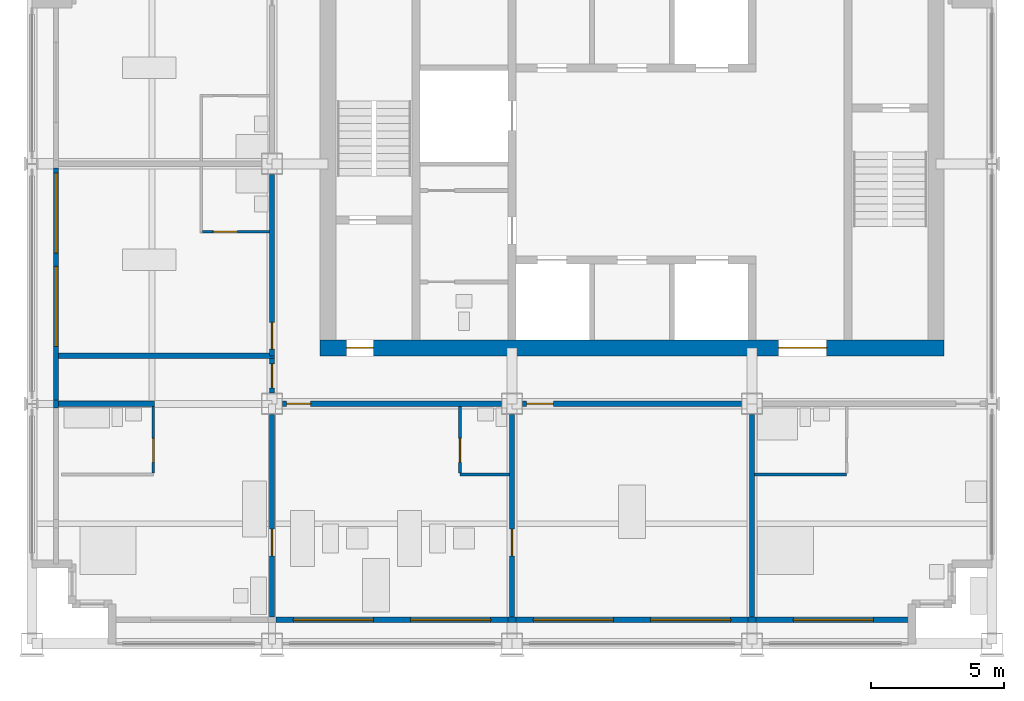
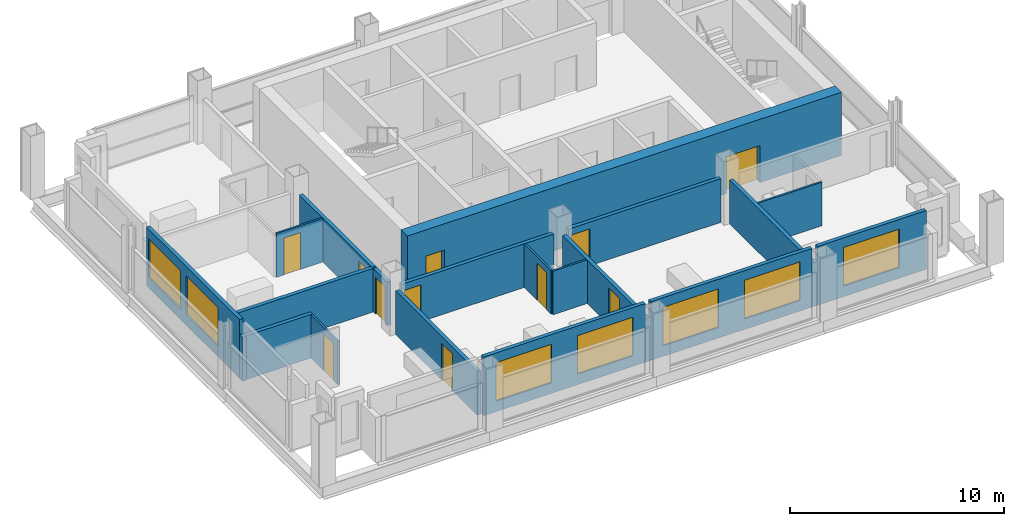
# One storey, part 6 of 11: 22 walls, 11 doors, 7 windows, 18 openings.
"""IFC4 building model written with IfcOpenShell, lengths in metres."""

import ifcopenshell
import ifcopenshell.guid

model = None  # the IFC model being written
_history = None  # IfcOwnerHistory: only IFC2X3 demands one
_inside = {}  # id of a spatial element -> (the spatial element, [elements in it])
_under = {}  # id of a project, library or spatial element -> (it, [spatial elements below it])
_declared = {}  # id of a project -> (the project, [libraries it declares])
_typed = {}  # id of a type object -> (the type object, [elements of that type])
_made_of = {}  # id of a material, layer set ... -> (it, [elements and type objects made of it])


def new_model(schema):
    """Start an empty IFC model of exactly this schema.

    Asked for "IFC4X3", IfcOpenShell would pick the latest addendum, in which some entities
    have other attributes; the version numbers below select the first issue.
    IFC2X3 requires an IfcOwnerHistory on every rooted entity: one is made here for all.
    """
    global model, _history
    if schema == "IFC4X3":
        model = ifcopenshell.file(schema_version=(4, 3, 0, 0))
    else:
        model = ifcopenshell.file(schema=schema)
    _inside.clear()
    _under.clear()
    _declared.clear()
    _typed.clear()
    _made_of.clear()
    _history = None
    if model.schema == "IFC2X3":
        org = make("IfcOrganization", Name="unknown")
        user = make(
            "IfcPersonAndOrganization",
            ThePerson=make("IfcPerson", FamilyName="unknown"),
            TheOrganization=org,
        )
        app = make(
            "IfcApplication",
            ApplicationDeveloper=org,
            Version="unknown",
            ApplicationFullName="unknown",
            ApplicationIdentifier="unknown",
        )
        _history = make(
            "IfcOwnerHistory",
            OwningUser=user,
            OwningApplication=app,
            ChangeAction="ADDED",
            CreationDate=0,
        )
    return model


def make(cls, **values):
    """One entity of the class cls with the attributes given. An attribute that is None is left unset."""
    return model.create_entity(
        cls, **{name: value for name, value in values.items() if value is not None}
    )


def rooted(cls, **values):
    """An entity with a GlobalId (a new one), such as an element, a storey or a relation."""
    return make(cls, GlobalId=ifcopenshell.guid.new(), OwnerHistory=_history, **values)


def si_unit(unit_type, name, prefix=None):
    """IfcSIUnit, for example si_unit("LENGTHUNIT", "METRE", prefix="MILLI")."""
    return make("IfcSIUnit", UnitType=unit_type, Prefix=prefix, Name=name)


def assignment(units):
    """IfcUnitAssignment: the units of a project."""
    return None if units is None else make("IfcUnitAssignment", Units=units)


def point(xyz):
    """IfcCartesianPoint."""
    return None if xyz is None else make("IfcCartesianPoint", Coordinates=xyz)


def direction(xyz):
    """IfcDirection."""
    return None if xyz is None else make("IfcDirection", DirectionRatios=xyz)


def frame(location, z_axis=None, x_axis=None):
    """IfcAxis2Placement3D, a coordinate frame: its origin and axes. An axis left out is left unset."""
    return make(
        "IfcAxis2Placement3D",
        Location=point(location),
        Axis=direction(z_axis),
        RefDirection=direction(x_axis),
    )


def frame_2d(location, x_axis=None):
    """IfcAxis2Placement2D, a coordinate frame in the plane: its origin and x axis."""
    return make(
        "IfcAxis2Placement2D", Location=point(location), RefDirection=direction(x_axis)
    )


def origin():
    """The frame at (0, 0, 0) with its axes left unset."""
    return frame((0.0, 0.0, 0.0))


def place(relative_to, where):
    """IfcLocalPlacement: puts the frame where relative to a parent placement (None: the world)."""
    return make(
        "IfcLocalPlacement", PlacementRelTo=relative_to, RelativePlacement=where
    )


def context(
    kind, dimensions, precision=None, world=None, true_north=None, identifier=None
):
    """IfcGeometricRepresentationContext, for example the 3D "Model" context."""
    return make(
        "IfcGeometricRepresentationContext",
        ContextIdentifier=identifier,
        ContextType=kind,
        CoordinateSpaceDimension=dimensions,
        Precision=precision,
        WorldCoordinateSystem=world,
        TrueNorth=true_north,
    )


def subcontext(parent, identifier, kind, view, scale=None):
    """IfcGeometricRepresentationSubContext, for example "Body" below "Model"."""
    return make(
        "IfcGeometricRepresentationSubContext",
        ContextIdentifier=identifier,
        ContextType=kind,
        ParentContext=parent,
        TargetScale=scale,
        TargetView=view,
    )


def project(units=None, contexts=None):
    """IfcProject with its units and contexts."""
    return rooted(
        "IfcProject",
        Name="project",
        RepresentationContexts=contexts,
        UnitsInContext=assignment(units),
    )


def spatial(cls, under=None, at=None, **own):
    """A site, building, storey or space (cls), placed at a placement, below another one or the project."""
    s = rooted(cls, ObjectPlacement=at, **own)
    if under is not None:
        _under.setdefault(under.id(), (under, []))[1].append(s)
    return s


def profile(cls, at=None, kind="AREA", **sizes):
    """A parametric profile (cls). Its sizes go by their IFC names, for example OverallWidth=200.0."""
    return make(cls, ProfileType=kind, Position=at, **sizes)


def rectangle(**sizes):
    """IfcRectangleProfileDef."""
    return profile("IfcRectangleProfileDef", **sizes)


def extrude(swept, where, along, depth):
    """IfcExtrudedAreaSolid: the profile swept, set in the frame where, extruded along a direction by depth."""
    return make(
        "IfcExtrudedAreaSolid",
        SweptArea=swept,
        Position=where,
        ExtrudedDirection=direction(along),
        Depth=depth,
    )


def shape(context_of_items, identifier, shape_type, items):
    """IfcShapeRepresentation: the items that make up one representation, for example the "Body"."""
    return make(
        "IfcShapeRepresentation",
        ContextOfItems=context_of_items,
        RepresentationIdentifier=identifier,
        RepresentationType=shape_type,
        Items=items,
    )


def material(Name=None, Category=None):
    """IfcMaterial."""
    return make("IfcMaterial", Name=Name, Category=Category)


def layer(
    of_material, thickness, ventilated=None, Name=None, Category=None, Priority=None
):
    """IfcMaterialLayer: one layer of a wall or slab, of a material (None: an air gap)."""
    return make(
        "IfcMaterialLayer",
        Material=of_material,
        LayerThickness=thickness,
        IsVentilated=ventilated,
        Name=Name,
        Category=Category,
        Priority=Priority,
    )


def layer_set(layers, Name=None):
    """IfcMaterialLayerSet."""
    return make("IfcMaterialLayerSet", MaterialLayers=layers, LayerSetName=Name)


def made_of(thing, what):
    """Note that an element or type object is made of a material, layer set ...; save() writes the relation."""
    if what is not None:
        _made_of.setdefault(what.id(), (what, []))[1].append(thing)
    return thing


def type_object(cls, material=None, **own):
    """A type object (cls), such as IfcWallType, which elements share."""
    return made_of(rooted(cls, **own), material)


def element(
    cls,
    number,
    at=None,
    inside=None,
    cuts=None,
    type_object=None,
    material=None,
    context=None,
    identifier="Body",
    shape_type=None,
    held_by="IfcProductDefinitionShape",
    body=None,
    shapes=None,
    **own,
):
    """One element of the class cls, such as IfcWall. Its Tag is "e" and its number.

    at: its placement. inside: the storey or other place that contains it. cuts: it is an
    opening in that element (IfcRelVoidsElement). A single representation is given by context,
    identifier, shape_type and body (its items); several are given by shapes. held_by: the class
    of the entity that holds the representations. save() writes the other relations.
    """
    e = rooted(cls, Tag="e%d" % number, ObjectPlacement=at, **own)
    if body is not None:
        shapes = [shape(context, identifier, shape_type, body)]
    if shapes is not None:
        e.Representation = make(held_by, Representations=shapes)
    if inside is not None:
        _inside.setdefault(inside.id(), (inside, []))[1].append(e)
    if cuts is not None:
        rooted(
            "IfcRelVoidsElement", RelatingBuildingElement=cuts, RelatedOpeningElement=e
        )
    if type_object is not None:
        _typed.setdefault(type_object.id(), (type_object, []))[1].append(e)
    return made_of(e, material)


def fill(opening, filler):
    """IfcRelFillsElement: the door or window that sits in an opening."""
    return rooted(
        "IfcRelFillsElement",
        RelatingOpeningElement=opening,
        RelatedBuildingElement=filler,
    )


def aggregate(whole, parts):
    """IfcRelAggregates: a whole, such as a stair, and the parts it consists of."""
    return rooted("IfcRelAggregates", RelatingObject=whole, RelatedObjects=parts)


def save(model, path):
    """Write the relations noted so far, then the file.

    IfcRelAggregates (storeys below a building ...), IfcRelContainedInSpatialStructure (elements
    in a storey), IfcRelDefinesByType, IfcRelAssociatesMaterial and IfcRelDeclares: one each for
    every whole, place, type object, material and project.
    """
    for whole, parts in _under.values():
        aggregate(whole, parts)
    for where, things in _inside.values():
        rooted(
            "IfcRelContainedInSpatialStructure",
            RelatedElements=things,
            RelatingStructure=where,
        )
    for kind, things in _typed.values():
        rooted("IfcRelDefinesByType", RelatedObjects=things, RelatingType=kind)
    for what, things in _made_of.values():
        rooted("IfcRelAssociatesMaterial", RelatedObjects=things, RelatingMaterial=what)
    for by, libraries in _declared.values():
        rooted("IfcRelDeclares", RelatingContext=by, RelatedDefinitions=libraries)
    model.write(path)


model = new_model("IFC4")

# Units and contexts
model_context = context("Model", 3, precision=1e-05, world=origin(), true_north=direction((0.0, 1.0)))
body_context = subcontext(model_context, "Body", "Model", "MODEL_VIEW")
ifc_project = project(units=[si_unit("LENGTHUNIT", "METRE"), si_unit("AREAUNIT", "SQUARE_METRE"), si_unit("VOLUMEUNIT", "CUBIC_METRE"), si_unit("PLANEANGLEUNIT", "RADIAN"), si_unit("MASSUNIT", "GRAM", prefix="KILO")], contexts=[model_context])

# Site, building, storey
site_placement = place(None, origin())
site = spatial("IfcSite", under=ifc_project, at=site_placement, CompositionType="ELEMENT")
building_placement = place(site_placement, origin())
building = spatial("IfcBuilding", under=site, at=building_placement, Name="Loomwork Tower", CompositionType="ELEMENT")
storey_placement = place(building_placement, frame((0.0, 0.0, 266.199951171875)))
storey = spatial("IfcBuildingStorey", under=building, at=storey_placement, Name="L73", CompositionType="ELEMENT", Elevation=266.199951171875)

# Wall, openings, doors
ifc_material_1 = material(Name="Concrete 14000 psi (97 MPa)", Category="concrete")
ifc_layer_1 = layer(ifc_material_1, 0.60009765625)
ifc_layer_set_1 = layer_set([ifc_layer_1], Name="Core shear wall 600")
wall_type_1 = type_object("IfcWallType", Name="Core shear wall 600", PredefinedType="SHEAR", material=ifc_layer_set_1)
wall_1_placement = place(storey_placement, frame((10.800048828125, 11.10009765625, 0.0), z_axis=(0.0, 0.0, 1.0), x_axis=(1.0, 0.0, 0.0)))
wall_1 = element("IfcWall", 1, at=wall_1_placement, inside=storey, type_object=wall_type_1, Name="Core wall south L73", PredefinedType="SHEAR", context=body_context, shape_type="SweptSolid", body=[
    extrude(rectangle(XDim=23.39990234375, YDim=0.60009765625, at=frame_2d((11.699951171875, 0.0))), origin(), (0.0, 0.0, 1.0), 3.60009765625),
])
opening_1_placement = place(wall_1_placement, frame((1.0, 0.0, 0.0)))
opening_1 = element("IfcOpeningElement", 2, at=opening_1_placement, cuts=wall_1, Name="Opening D4", PredefinedType="OPENING", context=body_context, shape_type="SweptSolid", body=[
    extrude(rectangle(XDim=1.0, YDim=2.10009765625, at=frame_2d((0.5, 1.050048828125))), frame((0.0, 0.31005859375, 0.0), z_axis=(0.0, -1.0, 0.0), x_axis=(1.0, 0.0, 0.0)), (0.0, 0.0, 1.0), 0.6201171875),
])
opening_2_placement = place(wall_1_placement, frame((17.199951171875, 0.0, 0.0)))
opening_2 = element("IfcOpeningElement", 3, at=opening_2_placement, cuts=wall_1, Name="Opening D6", PredefinedType="OPENING", context=body_context, shape_type="SweptSolid", body=[
    extrude(rectangle(XDim=1.800048828125, YDim=2.10009765625, at=frame_2d((0.89990234375, 1.050048828125))), frame((0.0, 0.31005859375, 0.0), z_axis=(0.0, -1.0, 0.0), x_axis=(1.0, 0.0, 0.0)), (0.0, 0.0, 1.0), 0.6201171875),
])
ifc_material_2 = material(Name="Hollow metal door and frame")
door_type_1 = type_object("IfcDoorType", Name="Lobby passage double door 1800", OperationType="DOUBLE_DOOR_SINGLE_SWING", PredefinedType="DOOR", material=ifc_material_2)
door_1_placement = place(opening_2_placement, origin())
door_1 = element("IfcDoor", 4, at=door_1_placement, inside=storey, type_object=door_type_1, Name="Lobby passage door south", OperationType="DOUBLE_DOOR_SINGLE_SWING", OverallHeight=2.10009765625, OverallWidth=1.800048828125, PredefinedType="DOOR", context=body_context, shape_type="SweptSolid", body=[
    extrude(rectangle(XDim=1.800048828125, YDim=2.10009765625, at=frame_2d((0.89990234375, 1.050048828125))), frame((0.0, 0.02490234375, 0.0), z_axis=(0.0, -1.0, 0.0), x_axis=(1.0, 0.0, 0.0)), (0.0, 0.0, 1.0), 0.050048828125),
])
fill(opening_2, door_1)
ifc_material_3 = material(Name="Hollow metal door and frame")
door_type_2 = type_object("IfcDoorType", Name="Stair door 1000", OperationType="SINGLE_SWING_RIGHT", PredefinedType="DOOR", material=ifc_material_3)
door_2_placement = place(opening_1_placement, origin())
door_2 = element("IfcDoor", 5, at=door_2_placement, inside=storey, type_object=door_type_2, Name="Stair A vestibule door", OperationType="SINGLE_SWING_LEFT", OverallHeight=2.10009765625, OverallWidth=1.0, PredefinedType="DOOR", context=body_context, shape_type="SweptSolid", body=[
    extrude(rectangle(XDim=1.0, YDim=2.10009765625, at=frame_2d((0.5, 1.050048828125))), frame((0.0, 0.02490234375, 0.0), z_axis=(0.0, -1.0, 0.0), x_axis=(1.0, 0.0, 0.0)), (0.0, 0.0, 1.0), 0.050048828125),
])
fill(opening_1, door_2)

# Wall
ifc_material_4 = material(Name="Gypsum board on steel studs, one-hour", Category="steel")
ifc_layer_2 = layer(ifc_material_4, 0.199951171875)
ifc_layer_set_2 = layer_set([ifc_layer_2], Name="Corridor wall 200")
wall_type_2 = type_object("IfcWallType", Name="Corridor wall 200", PredefinedType="PARTITIONING", material=ifc_layer_set_2)
wall_2_placement = place(storey_placement, frame((1.0, 9.0, 0.0), z_axis=(0.0, 0.0, 1.0), x_axis=(1.0, 0.0, 0.0)))
element("IfcWall", 6, at=wall_2_placement, inside=storey, type_object=wall_type_2, Name="South corridor wall 1", PredefinedType="PARTITIONING", context=body_context, shape_type="SweptSolid", body=[
    extrude(rectangle(XDim=3.60009765625, YDim=0.199951171875, at=frame_2d((1.800048828125, 0.0))), origin(), (0.0, 0.0, 1.0), 2.491455078125),
])

# Wall, opening, door
wall_3_placement = place(storey_placement, frame((9.39990234375, 9.0, 0.0), z_axis=(0.0, 0.0, 1.0), x_axis=(1.0, 0.0, 0.0)))
wall_3 = element("IfcWall", 7, at=wall_3_placement, inside=storey, type_object=wall_type_2, Name="South corridor wall 2", PredefinedType="PARTITIONING", context=body_context, shape_type="SweptSolid", body=[
    extrude(rectangle(XDim=8.2001953125, YDim=0.199951171875, at=frame_2d((4.10009765625, 0.0))), origin(), (0.0, 0.0, 1.0), 2.491455078125),
])
opening_3_placement = place(wall_3_placement, frame((0.14990234375, 0.0, 0.0)))
opening_3 = element("IfcOpeningElement", 8, at=opening_3_placement, cuts=wall_3, Name="Opening D1", PredefinedType="OPENING", context=body_context, shape_type="SweptSolid", body=[
    extrude(rectangle(XDim=0.89990234375, YDim=2.10009765625, at=frame_2d((0.449951171875, 1.050048828125))), frame((0.0, 0.10986328125, 0.0), z_axis=(0.0, -1.0, 0.0), x_axis=(1.0, 0.0, 0.0)), (0.0, 0.0, 1.0), 0.219970703125),
])
ifc_material_5 = material(Name="Hollow metal door and frame")
door_type_3 = type_object("IfcDoorType", Name="Guest room entry door 900", OperationType="SINGLE_SWING_LEFT", PredefinedType="DOOR", material=ifc_material_5)
door_3_placement = place(opening_3_placement, frame((0.89990234375, 0.0, 0.0), z_axis=(0.0, 0.0, 1.0), x_axis=(-1.0, 0.0, 0.0)))
door_3 = element("IfcDoor", 9, at=door_3_placement, inside=storey, type_object=door_type_3, Name="Guest room entry door L73 2", OperationType="SINGLE_SWING_RIGHT", OverallHeight=2.10009765625, OverallWidth=0.89990234375, PredefinedType="DOOR", context=body_context, shape_type="SweptSolid", body=[
    extrude(rectangle(XDim=0.89990234375, YDim=2.10009765625, at=frame_2d((0.449951171875, 1.050048828125))), frame((0.0, 0.02490234375, 0.0), z_axis=(0.0, -1.0, 0.0), x_axis=(1.0, 0.0, 0.0)), (0.0, 0.0, 1.0), 0.050048828125),
])
fill(opening_3, door_3)

wall_4_placement = place(storey_placement, frame((18.39990234375, 9.0, 0.0), z_axis=(0.0, 0.0, 1.0), x_axis=(1.0, 0.0, 0.0)))
wall_4 = element("IfcWall", 10, at=wall_4_placement, inside=storey, type_object=wall_type_2, Name="South corridor wall 3", PredefinedType="PARTITIONING", context=body_context, shape_type="SweptSolid", body=[
    extrude(rectangle(XDim=8.2001953125, YDim=0.199951171875, at=frame_2d((4.10009765625, 0.0))), origin(), (0.0, 0.0, 1.0), 2.491455078125),
])
opening_4_placement = place(wall_4_placement, frame((0.14990234375, 0.0, 0.0)))
opening_4 = element("IfcOpeningElement", 11, at=opening_4_placement, cuts=wall_4, Name="Opening D5", PredefinedType="OPENING", context=body_context, shape_type="SweptSolid", body=[
    extrude(rectangle(XDim=1.0, YDim=2.10009765625, at=frame_2d((0.5, 1.050048828125))), frame((0.0, 0.10986328125, 0.0), z_axis=(0.0, -1.0, 0.0), x_axis=(1.0, 0.0, 0.0)), (0.0, 0.0, 1.0), 0.219970703125),
])
ifc_material_6 = material(Name="Hollow metal door and frame")
door_type_4 = type_object("IfcDoorType", Name="Service door 1000", OperationType="SINGLE_SWING_LEFT", PredefinedType="DOOR", material=ifc_material_6)
door_4_placement = place(opening_4_placement, frame((1.0, 0.0, 0.0), z_axis=(0.0, 0.0, 1.0), x_axis=(-1.0, 0.0, 0.0)))
door_4 = element("IfcDoor", 12, at=door_4_placement, inside=storey, type_object=door_type_4, Name="Presidential suite dining room door L73 3", OperationType="SINGLE_SWING_RIGHT", OverallHeight=2.10009765625, OverallWidth=1.0, PredefinedType="DOOR", context=body_context, shape_type="SweptSolid", body=[
    extrude(rectangle(XDim=1.0, YDim=2.10009765625, at=frame_2d((0.5, 1.050048828125))), frame((0.0, 0.02490234375, 0.0), z_axis=(0.0, -1.0, 0.0), x_axis=(1.0, 0.0, 0.0)), (0.0, 0.0, 1.0), 0.050048828125),
])
fill(opening_4, door_4)

wall_5_placement = place(storey_placement, frame((9.0, 10.800048828125, 0.0), z_axis=(0.0, 0.0, 1.0), x_axis=(0.0, 1.0, 0.0)))
wall_5 = element("IfcWall", 13, at=wall_5_placement, inside=storey, type_object=wall_type_2, Name="West corridor wall 1", PredefinedType="PARTITIONING", context=body_context, shape_type="SweptSolid", body=[
    extrude(rectangle(XDim=6.800048828125, YDim=0.199951171875, at=frame_2d((3.39990234375, 0.0))), origin(), (0.0, 0.0, 1.0), 2.491455078125),
])
opening_5_placement = place(wall_5_placement, frame((0.25, 0.0, 0.0)))
opening_5 = element("IfcOpeningElement", 14, at=opening_5_placement, cuts=wall_5, Name="Opening D15", PredefinedType="OPENING", context=body_context, shape_type="SweptSolid", body=[
    extrude(rectangle(XDim=1.0, YDim=2.10009765625, at=frame_2d((0.5, 1.050048828125))), frame((0.0, 0.10986328125, 0.0), z_axis=(0.0, -1.0, 0.0), x_axis=(1.0, 0.0, 0.0)), (0.0, 0.0, 1.0), 0.219970703125),
])
ifc_material_7 = material(Name="Hollow metal door and frame")
door_type_5 = type_object("IfcDoorType", Name="Fire-rated room door 1000", OperationType="SINGLE_SWING_LEFT", PredefinedType="DOOR", material=ifc_material_7)
door_5_placement = place(opening_5_placement, origin())
door_5 = element("IfcDoor", 15, at=door_5_placement, inside=storey, type_object=door_type_5, Name="Spa treatment room door L73 5", OperationType="SINGLE_SWING_LEFT", OverallHeight=2.10009765625, OverallWidth=1.0, PredefinedType="DOOR", context=body_context, shape_type="SweptSolid", body=[
    extrude(rectangle(XDim=1.0, YDim=2.10009765625, at=frame_2d((0.5, 1.050048828125))), frame((0.0, 0.02490234375, 0.0), z_axis=(0.0, -1.0, 0.0), x_axis=(1.0, 0.0, 0.0)), (0.0, 0.0, 1.0), 0.050048828125),
])
fill(opening_5, door_5)

# Wall
wall_6_placement = place(storey_placement, frame((1.0, 10.800048828125, 0.0), z_axis=(0.0, 0.0, 1.0), x_axis=(1.0, 0.0, 0.0)))
element("IfcWall", 16, at=wall_6_placement, inside=storey, type_object=wall_type_2, Name="West band end wall S", PredefinedType="PARTITIONING", context=body_context, shape_type="SweptSolid", body=[
    extrude(rectangle(XDim=8.10009765625, YDim=0.199951171875, at=frame_2d((4.050048828125, 0.0))), origin(), (0.0, 0.0, 1.0), 2.490966796875),
])

# Wall, opening, door
wall_7_placement = place(storey_placement, frame((9.0, 9.39990234375, 0.0), z_axis=(0.0, 0.0, 1.0), x_axis=(0.0, 1.0, 0.0)))
wall_7 = element("IfcWall", 17, at=wall_7_placement, inside=storey, type_object=wall_type_2, Name="Corner suite foyer wall", PredefinedType="PARTITIONING", context=body_context, shape_type="SweptSolid", body=[
    extrude(rectangle(XDim=1.300048828125, YDim=0.199951171875, at=frame_2d((0.64990234375, 0.0))), origin(), (0.0, 0.0, 1.0), 2.491455078125),
])
opening_6_placement = place(wall_7_placement, frame((0.199951171875, 0.0, 0.0)))
opening_6 = element("IfcOpeningElement", 18, at=opening_6_placement, cuts=wall_7, Name="Opening D1", PredefinedType="OPENING", context=body_context, shape_type="SweptSolid", body=[
    extrude(rectangle(XDim=0.89990234375, YDim=2.10009765625, at=frame_2d((0.449951171875, 1.050048828125))), frame((0.0, 0.10986328125, 0.0), z_axis=(0.0, -1.0, 0.0), x_axis=(1.0, 0.0, 0.0)), (0.0, 0.0, 1.0), 0.219970703125),
])
door_6_placement = place(opening_6_placement, origin())
door_6 = element("IfcDoor", 19, at=door_6_placement, inside=storey, type_object=door_type_3, Name="Guest room entry door L73 1", OperationType="SINGLE_SWING_RIGHT", OverallHeight=2.10009765625, OverallWidth=0.89990234375, PredefinedType="DOOR", context=body_context, shape_type="SweptSolid", body=[
    extrude(rectangle(XDim=0.89990234375, YDim=2.10009765625, at=frame_2d((0.449951171875, 1.050048828125))), frame((0.0, 0.02490234375, 0.0), z_axis=(0.0, -1.0, 0.0), x_axis=(1.0, 0.0, 0.0)), (0.0, 0.0, 1.0), 0.050048828125),
])
fill(opening_6, door_6)

ifc_material_8 = material(Name="Cement board on steel studs", Category="steel")
ifc_layer_3 = layer(ifc_material_8, 0.10009765625)
ifc_layer_set_3 = layer_set([ifc_layer_3], Name="En-suite partition 100")
wall_type_3 = type_object("IfcWallType", Name="En-suite partition 100", PredefinedType="PARTITIONING", material=ifc_layer_set_3)
wall_8_placement = place(storey_placement, frame((4.550048828125, 8.89990234375, 0.0), z_axis=(0.0, 0.0, 1.0), x_axis=(0.0, -1.0, 0.0)))
wall_8 = element("IfcWall", 20, at=wall_8_placement, inside=storey, type_object=wall_type_3, Name="En-suite side wall L73 room 1", PredefinedType="PARTITIONING", context=body_context, shape_type="SweptSolid", body=[
    extrude(rectangle(XDim=2.5, YDim=0.10009765625, at=frame_2d((1.25, 0.0))), origin(), (0.0, 0.0, 1.0), 2.490966796875),
])
opening_7_placement = place(wall_8_placement, frame((1.199951171875, 0.0, 0.0)))
opening_7 = element("IfcOpeningElement", 21, at=opening_7_placement, cuts=wall_8, Name="Opening D2", PredefinedType="OPENING", context=body_context, shape_type="SweptSolid", body=[
    extrude(rectangle(XDim=0.89990234375, YDim=2.10009765625, at=frame_2d((0.449951171875, 1.050048828125))), frame((0.0, 0.06005859375, 0.0), z_axis=(0.0, -1.0, 0.0), x_axis=(1.0, 0.0, 0.0)), (0.0, 0.0, 1.0), 0.1201171875),
])
ifc_material_9 = material(Name="Hollow metal door and frame")
door_type_6 = type_object("IfcDoorType", Name="En-suite door 900", OperationType="SINGLE_SWING_LEFT", PredefinedType="DOOR", material=ifc_material_9)
door_7_placement = place(opening_7_placement, frame((0.89990234375, 0.0, 0.0), z_axis=(0.0, 0.0, 1.0), x_axis=(-1.0, 0.0, 0.0)))
door_7 = element("IfcDoor", 22, at=door_7_placement, inside=storey, type_object=door_type_6, Name="En-suite door room 1", OperationType="SINGLE_SWING_LEFT", OverallHeight=2.10009765625, OverallWidth=0.89990234375, PredefinedType="DOOR", context=body_context, shape_type="SweptSolid", body=[
    extrude(rectangle(XDim=0.89990234375, YDim=2.10009765625, at=frame_2d((0.449951171875, 1.050048828125))), frame((0.0, 0.02490234375, 0.0), z_axis=(0.0, -1.0, 0.0), x_axis=(1.0, 0.0, 0.0)), (0.0, 0.0, 1.0), 0.050048828125),
])
fill(opening_7, door_7)

# Wall
wall_9_placement = place(storey_placement, frame((16.050048828125, 6.35009765625, 0.0), z_axis=(0.0, 0.0, 1.0), x_axis=(1.0, 0.0, 0.0)))
element("IfcWall", 23, at=wall_9_placement, inside=storey, type_object=wall_type_3, Name="En-suite wall L73 room 2", PredefinedType="PARTITIONING", context=body_context, shape_type="SweptSolid", body=[
    extrude(rectangle(XDim=1.849853515625, YDim=0.10009765625, at=frame_2d((0.9248046875, 0.0))), origin(), (0.0, 0.0, 1.0), 2.490966796875),
])

# Wall, opening, door
wall_10_placement = place(storey_placement, frame((16.050048828125, 8.89990234375, 0.0), z_axis=(0.0, 0.0, 1.0), x_axis=(0.0, -1.0, 0.0)))
wall_10 = element("IfcWall", 24, at=wall_10_placement, inside=storey, type_object=wall_type_3, Name="En-suite side wall L73 room 2", PredefinedType="PARTITIONING", context=body_context, shape_type="SweptSolid", body=[
    extrude(rectangle(XDim=2.5, YDim=0.10009765625, at=frame_2d((1.25, 0.0))), origin(), (0.0, 0.0, 1.0), 2.490966796875),
])
opening_8_placement = place(wall_10_placement, frame((1.199951171875, 0.0, 0.0)))
opening_8 = element("IfcOpeningElement", 25, at=opening_8_placement, cuts=wall_10, Name="Opening D2", PredefinedType="OPENING", context=body_context, shape_type="SweptSolid", body=[
    extrude(rectangle(XDim=0.89990234375, YDim=2.10009765625, at=frame_2d((0.449951171875, 1.050048828125))), frame((0.0, 0.06005859375, 0.0), z_axis=(0.0, -1.0, 0.0), x_axis=(1.0, 0.0, 0.0)), (0.0, 0.0, 1.0), 0.1201171875),
])
door_8_placement = place(opening_8_placement, origin())
door_8 = element("IfcDoor", 26, at=door_8_placement, inside=storey, type_object=door_type_6, Name="Suite powder room door room 2", OperationType="SINGLE_SWING_RIGHT", OverallHeight=2.10009765625, OverallWidth=0.89990234375, PredefinedType="DOOR", context=body_context, shape_type="SweptSolid", body=[
    extrude(rectangle(XDim=0.89990234375, YDim=2.10009765625, at=frame_2d((0.449951171875, 1.050048828125))), frame((0.0, 0.02490234375, 0.0), z_axis=(0.0, -1.0, 0.0), x_axis=(1.0, 0.0, 0.0)), (0.0, 0.0, 1.0), 0.050048828125),
])
fill(opening_8, door_8)

# Wall
wall_11_placement = place(storey_placement, frame((27.10009765625, 6.35009765625, 0.0), z_axis=(0.0, 0.0, 1.0), x_axis=(1.0, 0.0, 0.0)))
element("IfcWall", 27, at=wall_11_placement, inside=storey, type_object=wall_type_3, Name="En-suite wall L73 room 4", PredefinedType="PARTITIONING", context=body_context, shape_type="SweptSolid", body=[
    extrude(rectangle(XDim=3.449951171875, YDim=0.10009765625, at=frame_2d((1.72509765625, 0.0))), origin(), (0.0, 0.0, 1.0), 2.490966796875),
])

# Wall, opening, door
wall_12_placement = place(storey_placement, frame((8.89990234375, 15.449951171875, 0.0), z_axis=(0.0, 0.0, 1.0), x_axis=(-1.0, 0.0, 0.0)))
wall_12 = element("IfcWall", 28, at=wall_12_placement, inside=storey, type_object=wall_type_3, Name="En-suite side wall L73 room 5", PredefinedType="PARTITIONING", context=body_context, shape_type="SweptSolid", body=[
    extrude(rectangle(XDim=2.5, YDim=0.10009765625, at=frame_2d((1.25, 0.0))), origin(), (0.0, 0.0, 1.0), 2.490966796875),
])
opening_9_placement = place(wall_12_placement, frame((1.199951171875, 0.0, 0.0)))
opening_9 = element("IfcOpeningElement", 29, at=opening_9_placement, cuts=wall_12, Name="Opening D2", PredefinedType="OPENING", context=body_context, shape_type="SweptSolid", body=[
    extrude(rectangle(XDim=0.89990234375, YDim=2.10009765625, at=frame_2d((0.449951171875, 1.050048828125))), frame((0.0, 0.06005859375, 0.0), z_axis=(0.0, -1.0, 0.0), x_axis=(1.0, 0.0, 0.0)), (0.0, 0.0, 1.0), 0.1201171875),
])
door_9_placement = place(opening_9_placement, frame((0.89990234375, 0.0, 0.0), z_axis=(0.0, 0.0, 1.0), x_axis=(-1.0, 0.0, 0.0)))
door_9 = element("IfcDoor", 30, at=door_9_placement, inside=storey, type_object=door_type_6, Name="Treatment shower room door room 5", OperationType="SINGLE_SWING_LEFT", OverallHeight=2.10009765625, OverallWidth=0.89990234375, PredefinedType="DOOR", context=body_context, shape_type="SweptSolid", body=[
    extrude(rectangle(XDim=0.89990234375, YDim=2.10009765625, at=frame_2d((0.449951171875, 1.050048828125))), frame((0.0, 0.02490234375, 0.0), z_axis=(0.0, -1.0, 0.0), x_axis=(1.0, 0.0, 0.0)), (0.0, 0.0, 1.0), 0.050048828125),
])
fill(opening_9, door_9)

ifc_material_10 = material(Name="Gypsum board on steel studs, acoustic", Category="steel")
ifc_layer_4 = layer(ifc_material_10, 0.199951171875)
ifc_layer_set_4 = layer_set([ifc_layer_4], Name="Guest room party wall 200")
wall_type_4 = type_object("IfcWallType", Name="Guest room party wall 200", PredefinedType="PARTITIONING", material=ifc_layer_set_4)
wall_13_placement = place(storey_placement, frame((9.0, 8.60009765625, 0.0), z_axis=(0.0, 0.0, 1.0), x_axis=(0.0, -1.0, 0.0)))
wall_13 = element("IfcWall", 31, at=wall_13_placement, inside=storey, type_object=wall_type_4, Name="Guest room party wall S 9", PredefinedType="PARTITIONING", context=body_context, shape_type="SweptSolid", body=[
    extrude(rectangle(XDim=7.60009765625, YDim=0.199951171875, at=frame_2d((3.800048828125, 0.0))), origin(), (0.0, 0.0, 1.0), 2.491455078125),
])
opening_10_placement = place(wall_13_placement, frame((4.300048828125, 0.0, 0.0)))
opening_10 = element("IfcOpeningElement", 32, at=opening_10_placement, cuts=wall_13, Name="Opening D7", PredefinedType="OPENING", context=body_context, shape_type="SweptSolid", body=[
    extrude(rectangle(XDim=1.0, YDim=2.10009765625, at=frame_2d((0.5, 1.050048828125))), frame((0.0, 0.10986328125, 0.0), z_axis=(0.0, -1.0, 0.0), x_axis=(1.0, 0.0, 0.0)), (0.0, 0.0, 1.0), 0.219970703125),
])
ifc_material_11 = material(Name="Hollow metal door and frame")
door_type_7 = type_object("IfcDoorType", Name="Room door 1000", OperationType="SINGLE_SWING_LEFT", PredefinedType="DOOR", material=ifc_material_11)
door_10_placement = place(opening_10_placement, origin())
door_10 = element("IfcDoor", 33, at=door_10_placement, inside=storey, type_object=door_type_7, Name="Suite connecting door L73 S 9", OperationType="SINGLE_SWING_RIGHT", OverallHeight=2.10009765625, OverallWidth=1.0, PredefinedType="DOOR", context=body_context, shape_type="SweptSolid", body=[
    extrude(rectangle(XDim=1.0, YDim=2.10009765625, at=frame_2d((0.5, 1.050048828125))), frame((0.0, 0.02490234375, 0.0), z_axis=(0.0, -1.0, 0.0), x_axis=(1.0, 0.0, 0.0)), (0.0, 0.0, 1.0), 0.050048828125),
])
fill(opening_10, door_10)

wall_14_placement = place(storey_placement, frame((18.0, 8.60009765625, 0.0), z_axis=(0.0, 0.0, 1.0), x_axis=(0.0, -1.0, 0.0)))
wall_14 = element("IfcWall", 34, at=wall_14_placement, inside=storey, type_object=wall_type_4, Name="Guest room party wall S 18", PredefinedType="PARTITIONING", context=body_context, shape_type="SweptSolid", body=[
    extrude(rectangle(XDim=7.60009765625, YDim=0.199951171875, at=frame_2d((3.800048828125, 0.0))), origin(), (0.0, 0.0, 1.0), 2.491455078125),
])
opening_11_placement = place(wall_14_placement, frame((4.300048828125, 0.0, 0.0)))
opening_11 = element("IfcOpeningElement", 35, at=opening_11_placement, cuts=wall_14, Name="Opening D7", PredefinedType="OPENING", context=body_context, shape_type="SweptSolid", body=[
    extrude(rectangle(XDim=1.0, YDim=2.10009765625, at=frame_2d((0.5, 1.050048828125))), frame((0.0, 0.10986328125, 0.0), z_axis=(0.0, -1.0, 0.0), x_axis=(1.0, 0.0, 0.0)), (0.0, 0.0, 1.0), 0.219970703125),
])
door_11_placement = place(opening_11_placement, frame((1.0, 0.0, 0.0), z_axis=(0.0, 0.0, 1.0), x_axis=(-1.0, 0.0, 0.0)))
door_11 = element("IfcDoor", 36, at=door_11_placement, inside=storey, type_object=door_type_7, Name="Suite connecting door L73 S 18", OperationType="SINGLE_SWING_RIGHT", OverallHeight=2.10009765625, OverallWidth=1.0, PredefinedType="DOOR", context=body_context, shape_type="SweptSolid", body=[
    extrude(rectangle(XDim=1.0, YDim=2.10009765625, at=frame_2d((0.5, 1.050048828125))), frame((0.0, 0.02490234375, 0.0), z_axis=(0.0, -1.0, 0.0), x_axis=(1.0, 0.0, 0.0)), (0.0, 0.0, 1.0), 0.050048828125),
])
fill(opening_11, door_11)

# Wall
wall_15_placement = place(storey_placement, frame((27.0, 8.60009765625, 0.0), z_axis=(0.0, 0.0, 1.0), x_axis=(0.0, -1.0, 0.0)))
element("IfcWall", 37, at=wall_15_placement, inside=storey, type_object=wall_type_4, Name="Guest room party wall S 27", PredefinedType="PARTITIONING", context=body_context, shape_type="SweptSolid", body=[
    extrude(rectangle(XDim=7.60009765625, YDim=0.199951171875, at=frame_2d((3.800048828125, 0.0))), origin(), (0.0, 0.0, 1.0), 2.491455078125),
])

# Wall, openings, windows
ifc_material_12 = material(Name="Insulated steel stud wall with gypsum lining", Category="steel")
ifc_layer_5 = layer(ifc_material_12, 0.199951171875)
ifc_layer_set_5 = layer_set([ifc_layer_5], Name="Inner skin wall 200")
wall_type_5 = type_object("IfcWallType", Name="Inner skin wall 200", PredefinedType="SOLIDWALL", material=ifc_layer_set_5)
wall_16_placement = place(storey_placement, frame((9.148193359375, 0.89990234375, 0.0), z_axis=(0.0, 0.0, 1.0), x_axis=(1.0, 0.0, 0.0)))
wall_16 = element("IfcWall", 38, at=wall_16_placement, inside=storey, type_object=wall_type_5, Name="Inner skin wall S bay 3", PredefinedType="SOLIDWALL", context=body_context, shape_type="SweptSolid", body=[
    extrude(rectangle(XDim=8.703857421875, YDim=0.199951171875, at=frame_2d((4.35205078125, 0.0))), origin(), (0.0, 0.0, 1.0), 3.35009765625),
])
opening_12_placement = place(wall_16_placement, frame((0.65185546875, 0.0, 0.60009765625)))
opening_12 = element("IfcOpeningElement", 39, at=opening_12_placement, cuts=wall_16, Name="Opening CH1", PredefinedType="OPENING", context=body_context, shape_type="SweptSolid", body=[
    extrude(rectangle(XDim=3.0, YDim=2.199951171875, at=frame_2d((1.5, 1.10009765625))), frame((0.0, 0.10986328125, 0.0), z_axis=(0.0, -1.0, 0.0), x_axis=(1.0, 0.0, 0.0)), (0.0, 0.0, 1.0), 0.219970703125),
])
opening_13_placement = place(wall_16_placement, frame((5.052001953125, 0.0, 0.60009765625)))
opening_13 = element("IfcOpeningElement", 40, at=opening_13_placement, cuts=wall_16, Name="Opening CH1", PredefinedType="OPENING", context=body_context, shape_type="SweptSolid", body=[
    extrude(rectangle(XDim=3.0, YDim=2.199951171875, at=frame_2d((1.5, 1.10009765625))), frame((0.0, 0.10986328125, 0.0), z_axis=(0.0, -1.0, 0.0), x_axis=(1.0, 0.0, 0.0)), (0.0, 0.0, 1.0), 0.219970703125),
])
ifc_material_13 = material(Name="Aluminium frame with clear insulated glass", Category="aluminium")
window_type = type_object("IfcWindowType", Name="Chicago window 3000", PartitioningType="TRIPLE_PANEL_VERTICAL", PredefinedType="WINDOW", material=ifc_material_13)
window_1_placement = place(opening_12_placement, origin())
window_1 = element("IfcWindow", 41, at=window_1_placement, inside=storey, type_object=window_type, Name="Chicago window L73 bay 2", OverallHeight=2.199951171875, OverallWidth=3.0, PartitioningType="TRIPLE_PANEL_VERTICAL", PredefinedType="WINDOW", context=body_context, shape_type="SweptSolid", body=[
    extrude(rectangle(XDim=3.0, YDim=2.199951171875, at=frame_2d((1.5, 1.10009765625))), frame((0.0, 0.030029296875, 0.0), z_axis=(0.0, -1.0, 0.0), x_axis=(1.0, 0.0, 0.0)), (0.0, 0.0, 1.0), 0.06005859375),
])
fill(opening_12, window_1)
window_2_placement = place(opening_13_placement, origin())
window_2 = element("IfcWindow", 42, at=window_2_placement, inside=storey, type_object=window_type, Name="Chicago window L73 bay 2", OverallHeight=2.199951171875, OverallWidth=3.0, PartitioningType="TRIPLE_PANEL_VERTICAL", PredefinedType="WINDOW", context=body_context, shape_type="SweptSolid", body=[
    extrude(rectangle(XDim=3.0, YDim=2.199951171875, at=frame_2d((1.5, 1.10009765625))), frame((0.0, 0.030029296875, 0.0), z_axis=(0.0, -1.0, 0.0), x_axis=(1.0, 0.0, 0.0)), (0.0, 0.0, 1.0), 0.06005859375),
])
fill(opening_13, window_2)

# Wall
wall_17_placement = place(storey_placement, frame((17.85205078125, 0.89990234375, 0.0), z_axis=(0.0, 0.0, 1.0), x_axis=(1.0, 0.0, 0.0)))
element("IfcWall", 43, at=wall_17_placement, inside=storey, type_object=wall_type_5, Name="Inner skin wall S bay 4", PredefinedType="SOLIDWALL", context=body_context, shape_type="SweptSolid", body=[
    extrude(rectangle(XDim=0.2958984375, YDim=0.199951171875, at=frame_2d((0.14794921875, 0.0))), origin(), (0.0, 0.0, 1.0), 2.490966796875),
])

# Wall, openings, windows
wall_18_placement = place(storey_placement, frame((18.14794921875, 0.89990234375, 0.0), z_axis=(0.0, 0.0, 1.0), x_axis=(1.0, 0.0, 0.0)))
wall_18 = element("IfcWall", 44, at=wall_18_placement, inside=storey, type_object=wall_type_5, Name="Inner skin wall S bay 5", PredefinedType="SOLIDWALL", context=body_context, shape_type="SweptSolid", body=[
    extrude(rectangle(XDim=8.7041015625, YDim=0.199951171875, at=frame_2d((4.35205078125, 0.0))), origin(), (0.0, 0.0, 1.0), 3.35009765625),
])
opening_14_placement = place(wall_18_placement, frame((0.652099609375, 0.0, 0.60009765625)))
opening_14 = element("IfcOpeningElement", 45, at=opening_14_placement, cuts=wall_18, Name="Opening CH1", PredefinedType="OPENING", context=body_context, shape_type="SweptSolid", body=[
    extrude(rectangle(XDim=3.0, YDim=2.199951171875, at=frame_2d((1.5, 1.10009765625))), frame((0.0, 0.10986328125, 0.0), z_axis=(0.0, -1.0, 0.0), x_axis=(1.0, 0.0, 0.0)), (0.0, 0.0, 1.0), 0.219970703125),
])
opening_15_placement = place(wall_18_placement, frame((5.052001953125, 0.0, 0.60009765625)))
opening_15 = element("IfcOpeningElement", 46, at=opening_15_placement, cuts=wall_18, Name="Opening CH1", PredefinedType="OPENING", context=body_context, shape_type="SweptSolid", body=[
    extrude(rectangle(XDim=3.0, YDim=2.199951171875, at=frame_2d((1.5, 1.10009765625))), frame((0.0, 0.10986328125, 0.0), z_axis=(0.0, -1.0, 0.0), x_axis=(1.0, 0.0, 0.0)), (0.0, 0.0, 1.0), 0.219970703125),
])
window_3_placement = place(opening_14_placement, origin())
window_3 = element("IfcWindow", 47, at=window_3_placement, inside=storey, type_object=window_type, Name="Chicago window L73 bay 3", OverallHeight=2.199951171875, OverallWidth=3.0, PartitioningType="TRIPLE_PANEL_VERTICAL", PredefinedType="WINDOW", context=body_context, shape_type="SweptSolid", body=[
    extrude(rectangle(XDim=3.0, YDim=2.199951171875, at=frame_2d((1.5, 1.10009765625))), frame((0.0, 0.030029296875, 0.0), z_axis=(0.0, -1.0, 0.0), x_axis=(1.0, 0.0, 0.0)), (0.0, 0.0, 1.0), 0.06005859375),
])
fill(opening_14, window_3)
window_4_placement = place(opening_15_placement, origin())
window_4 = element("IfcWindow", 48, at=window_4_placement, inside=storey, type_object=window_type, Name="Chicago window L73 bay 3", OverallHeight=2.199951171875, OverallWidth=3.0, PartitioningType="TRIPLE_PANEL_VERTICAL", PredefinedType="WINDOW", context=body_context, shape_type="SweptSolid", body=[
    extrude(rectangle(XDim=3.0, YDim=2.199951171875, at=frame_2d((1.5, 1.10009765625))), frame((0.0, 0.030029296875, 0.0), z_axis=(0.0, -1.0, 0.0), x_axis=(1.0, 0.0, 0.0)), (0.0, 0.0, 1.0), 0.06005859375),
])
fill(opening_15, window_4)

# Wall
wall_19_placement = place(storey_placement, frame((26.85205078125, 0.89990234375, 0.0), z_axis=(0.0, 0.0, 1.0), x_axis=(1.0, 0.0, 0.0)))
element("IfcWall", 49, at=wall_19_placement, inside=storey, type_object=wall_type_5, Name="Inner skin wall S bay 6", PredefinedType="SOLIDWALL", context=body_context, shape_type="SweptSolid", body=[
    extrude(rectangle(XDim=0.2958984375, YDim=0.199951171875, at=frame_2d((0.14794921875, 0.0))), origin(), (0.0, 0.0, 1.0), 2.490966796875),
])

# Wall, opening, window
wall_20_placement = place(storey_placement, frame((27.14794921875, 0.89990234375, 0.0), z_axis=(0.0, 0.0, 1.0), x_axis=(1.0, 0.0, 0.0)))
wall_20 = element("IfcWall", 50, at=wall_20_placement, inside=storey, type_object=wall_type_5, Name="Inner skin wall S bay 7", PredefinedType="SOLIDWALL", context=body_context, shape_type="SweptSolid", body=[
    extrude(rectangle(XDim=5.85205078125, YDim=0.199951171875, at=frame_2d((2.926025390625, 0.0))), origin(), (0.0, 0.0, 1.0), 3.35009765625),
])
opening_16_placement = place(wall_20_placement, frame((1.402099609375, 0.0, 0.60009765625)))
opening_16 = element("IfcOpeningElement", 51, at=opening_16_placement, cuts=wall_20, Name="Opening CH1", PredefinedType="OPENING", context=body_context, shape_type="SweptSolid", body=[
    extrude(rectangle(XDim=3.0, YDim=2.199951171875, at=frame_2d((1.5, 1.10009765625))), frame((0.0, 0.10986328125, 0.0), z_axis=(0.0, -1.0, 0.0), x_axis=(1.0, 0.0, 0.0)), (0.0, 0.0, 1.0), 0.219970703125),
])
window_5_placement = place(opening_16_placement, origin())
window_5 = element("IfcWindow", 52, at=window_5_placement, inside=storey, type_object=window_type, Name="Chicago window L73 bay 4", OverallHeight=2.199951171875, OverallWidth=3.0, PartitioningType="TRIPLE_PANEL_VERTICAL", PredefinedType="WINDOW", context=body_context, shape_type="SweptSolid", body=[
    extrude(rectangle(XDim=3.0, YDim=2.199951171875, at=frame_2d((1.5, 1.10009765625))), frame((0.0, 0.030029296875, 0.0), z_axis=(0.0, -1.0, 0.0), x_axis=(1.0, 0.0, 0.0)), (0.0, 0.0, 1.0), 0.06005859375),
])
fill(opening_16, window_5)

# Wall
wall_21_placement = place(storey_placement, frame((0.89990234375, 8.851806640625, 0.0), z_axis=(0.0, 0.0, 1.0), x_axis=(0.0, 1.0, 0.0)))
element("IfcWall", 53, at=wall_21_placement, inside=storey, type_object=wall_type_5, Name="Inner skin wall W bay 4", PredefinedType="SOLIDWALL", context=body_context, shape_type="SweptSolid", body=[
    extrude(rectangle(XDim=0.29638671875, YDim=0.199951171875, at=frame_2d((0.148193359375, 0.0))), origin(), (0.0, 0.0, 1.0), 2.490966796875),
])

# Wall, openings, windows
wall_22_placement = place(storey_placement, frame((0.89990234375, 9.148193359375, 0.0), z_axis=(0.0, 0.0, 1.0), x_axis=(0.0, 1.0, 0.0)))
wall_22 = element("IfcWall", 54, at=wall_22_placement, inside=storey, type_object=wall_type_5, Name="Inner skin wall W bay 5", PredefinedType="SOLIDWALL", context=body_context, shape_type="SweptSolid", body=[
    extrude(rectangle(XDim=8.703857421875, YDim=0.199951171875, at=frame_2d((4.35205078125, 0.0))), origin(), (0.0, 0.0, 1.0), 3.35009765625),
])
opening_17_placement = place(wall_22_placement, frame((2.001953125, 0.0, 0.60009765625)))
opening_17 = element("IfcOpeningElement", 55, at=opening_17_placement, cuts=wall_22, Name="Opening CH1", PredefinedType="OPENING", context=body_context, shape_type="SweptSolid", body=[
    extrude(rectangle(XDim=3.0, YDim=2.199951171875, at=frame_2d((1.5, 1.10009765625))), frame((0.0, 0.10986328125, 0.0), z_axis=(0.0, -1.0, 0.0), x_axis=(1.0, 0.0, 0.0)), (0.0, 0.0, 1.0), 0.219970703125),
])
opening_18_placement = place(wall_22_placement, frame((5.501953125, 0.0, 0.60009765625)))
opening_18 = element("IfcOpeningElement", 56, at=opening_18_placement, cuts=wall_22, Name="Opening CH1", PredefinedType="OPENING", context=body_context, shape_type="SweptSolid", body=[
    extrude(rectangle(XDim=3.0, YDim=2.199951171875, at=frame_2d((1.5, 1.10009765625))), frame((0.0, 0.10986328125, 0.0), z_axis=(0.0, -1.0, 0.0), x_axis=(1.0, 0.0, 0.0)), (0.0, 0.0, 1.0), 0.219970703125),
])
window_6_placement = place(opening_17_placement, origin())
window_6 = element("IfcWindow", 57, at=window_6_placement, inside=storey, type_object=window_type, Name="Chicago window L73 bay 5", OverallHeight=2.199951171875, OverallWidth=3.0, PartitioningType="TRIPLE_PANEL_VERTICAL", PredefinedType="WINDOW", context=body_context, shape_type="SweptSolid", body=[
    extrude(rectangle(XDim=3.0, YDim=2.199951171875, at=frame_2d((1.5, 1.10009765625))), frame((0.0, 0.030029296875, 0.0), z_axis=(0.0, -1.0, 0.0), x_axis=(1.0, 0.0, 0.0)), (0.0, 0.0, 1.0), 0.06005859375),
])
fill(opening_17, window_6)
window_7_placement = place(opening_18_placement, origin())
window_7 = element("IfcWindow", 58, at=window_7_placement, inside=storey, type_object=window_type, Name="Chicago window L73 bay 5", OverallHeight=2.199951171875, OverallWidth=3.0, PartitioningType="TRIPLE_PANEL_VERTICAL", PredefinedType="WINDOW", context=body_context, shape_type="SweptSolid", body=[
    extrude(rectangle(XDim=3.0, YDim=2.199951171875, at=frame_2d((1.5, 1.10009765625))), frame((0.0, 0.030029296875, 0.0), z_axis=(0.0, -1.0, 0.0), x_axis=(1.0, 0.0, 0.0)), (0.0, 0.0, 1.0), 0.06005859375),
])
fill(opening_18, window_7)

save(model, "model.ifc")
